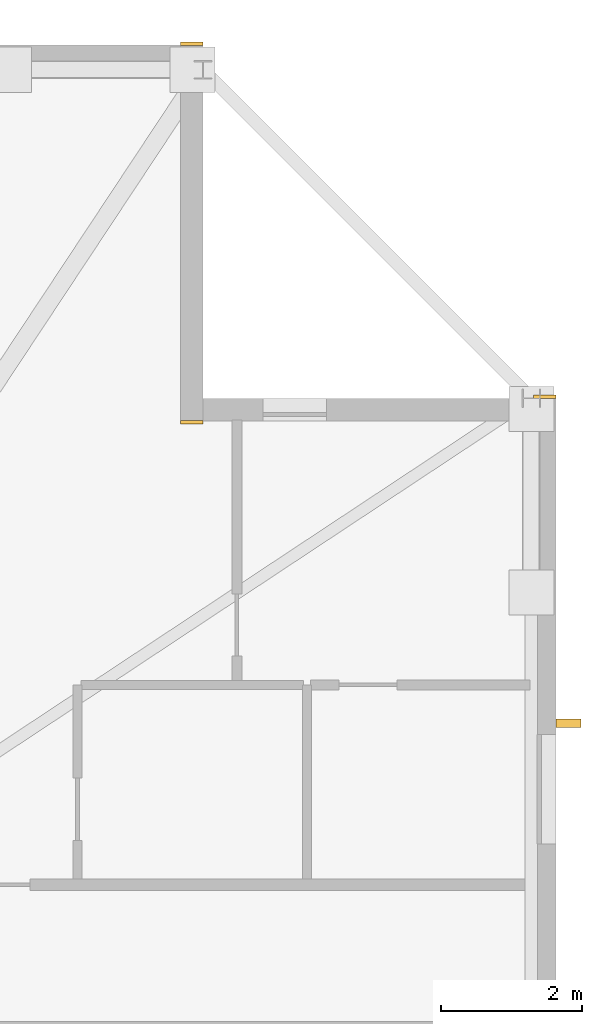
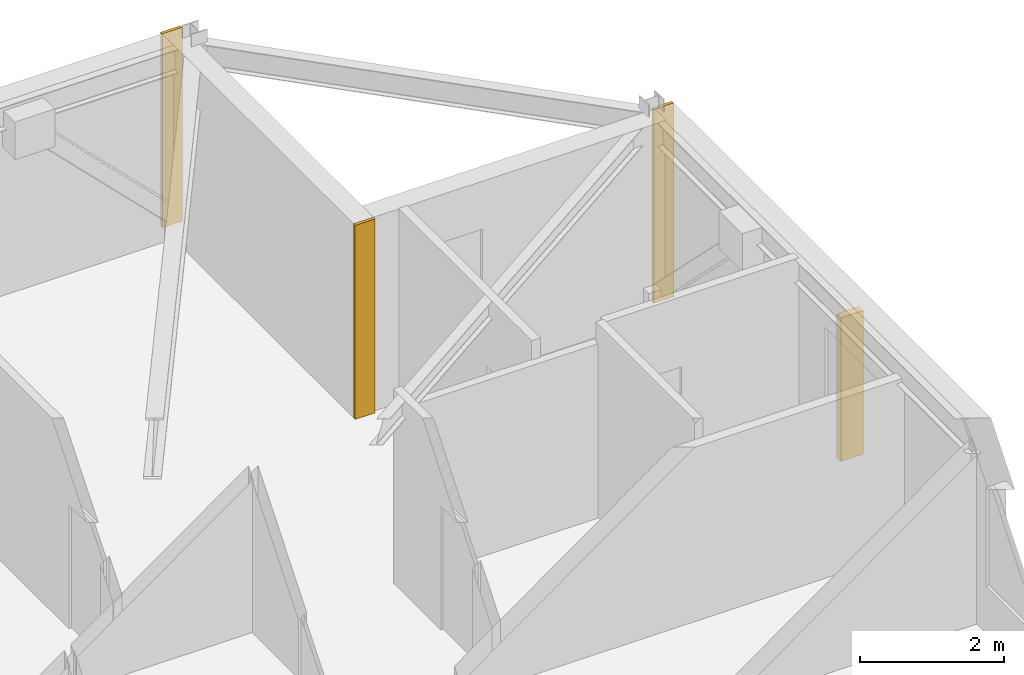
# One storey, part 17 of 17: 3 coverings, 1 shading device.
"""IFC4 building model written with IfcOpenShell, lengths in metres."""

import ifcopenshell
import ifcopenshell.guid

model = None  # the IFC model being written
_history = None  # IfcOwnerHistory: only IFC2X3 demands one
_inside = {}  # id of a spatial element -> (the spatial element, [elements in it])
_under = {}  # id of a project, library or spatial element -> (it, [spatial elements below it])
_declared = {}  # id of a project -> (the project, [libraries it declares])
_typed = {}  # id of a type object -> (the type object, [elements of that type])
_made_of = {}  # id of a material, layer set ... -> (it, [elements and type objects made of it])


def new_model(schema):
    """Start an empty IFC model of exactly this schema.

    Asked for "IFC4X3", IfcOpenShell would pick the latest addendum, in which some entities
    have other attributes; the version numbers below select the first issue.
    IFC2X3 requires an IfcOwnerHistory on every rooted entity: one is made here for all.
    """
    global model, _history
    if schema == "IFC4X3":
        model = ifcopenshell.file(schema_version=(4, 3, 0, 0))
    else:
        model = ifcopenshell.file(schema=schema)
    _inside.clear()
    _under.clear()
    _declared.clear()
    _typed.clear()
    _made_of.clear()
    _history = None
    if model.schema == "IFC2X3":
        org = make("IfcOrganization", Name="unknown")
        user = make(
            "IfcPersonAndOrganization",
            ThePerson=make("IfcPerson", FamilyName="unknown"),
            TheOrganization=org,
        )
        app = make(
            "IfcApplication",
            ApplicationDeveloper=org,
            Version="unknown",
            ApplicationFullName="unknown",
            ApplicationIdentifier="unknown",
        )
        _history = make(
            "IfcOwnerHistory",
            OwningUser=user,
            OwningApplication=app,
            ChangeAction="ADDED",
            CreationDate=0,
        )
    return model


def make(cls, **values):
    """One entity of the class cls with the attributes given. An attribute that is None is left unset."""
    return model.create_entity(
        cls, **{name: value for name, value in values.items() if value is not None}
    )


def rooted(cls, **values):
    """An entity with a GlobalId (a new one), such as an element, a storey or a relation."""
    return make(cls, GlobalId=ifcopenshell.guid.new(), OwnerHistory=_history, **values)


def si_unit(unit_type, name, prefix=None):
    """IfcSIUnit, for example si_unit("LENGTHUNIT", "METRE", prefix="MILLI")."""
    return make("IfcSIUnit", UnitType=unit_type, Prefix=prefix, Name=name)


def assignment(units):
    """IfcUnitAssignment: the units of a project."""
    return None if units is None else make("IfcUnitAssignment", Units=units)


def point(xyz):
    """IfcCartesianPoint."""
    return None if xyz is None else make("IfcCartesianPoint", Coordinates=xyz)


def direction(xyz):
    """IfcDirection."""
    return None if xyz is None else make("IfcDirection", DirectionRatios=xyz)


def frame(location, z_axis=None, x_axis=None):
    """IfcAxis2Placement3D, a coordinate frame: its origin and axes. An axis left out is left unset."""
    return make(
        "IfcAxis2Placement3D",
        Location=point(location),
        Axis=direction(z_axis),
        RefDirection=direction(x_axis),
    )


def frame_2d(location, x_axis=None):
    """IfcAxis2Placement2D, a coordinate frame in the plane: its origin and x axis."""
    return make(
        "IfcAxis2Placement2D", Location=point(location), RefDirection=direction(x_axis)
    )


def origin():
    """The frame at (0, 0, 0) with its axes left unset."""
    return frame((0.0, 0.0, 0.0))


def origin_2d():
    """The frame at (0, 0) in the plane with its x axis left unset."""
    return frame_2d((0.0, 0.0))


def place(relative_to, where):
    """IfcLocalPlacement: puts the frame where relative to a parent placement (None: the world)."""
    return make(
        "IfcLocalPlacement", PlacementRelTo=relative_to, RelativePlacement=where
    )


def context(
    kind, dimensions, precision=None, world=None, true_north=None, identifier=None
):
    """IfcGeometricRepresentationContext, for example the 3D "Model" context."""
    return make(
        "IfcGeometricRepresentationContext",
        ContextIdentifier=identifier,
        ContextType=kind,
        CoordinateSpaceDimension=dimensions,
        Precision=precision,
        WorldCoordinateSystem=world,
        TrueNorth=true_north,
    )


def subcontext(parent, identifier, kind, view, scale=None):
    """IfcGeometricRepresentationSubContext, for example "Body" below "Model"."""
    return make(
        "IfcGeometricRepresentationSubContext",
        ContextIdentifier=identifier,
        ContextType=kind,
        ParentContext=parent,
        TargetScale=scale,
        TargetView=view,
    )


def project(units=None, contexts=None):
    """IfcProject with its units and contexts."""
    return rooted(
        "IfcProject",
        Name="project",
        RepresentationContexts=contexts,
        UnitsInContext=assignment(units),
    )


def spatial(cls, under=None, at=None, **own):
    """A site, building, storey or space (cls), placed at a placement, below another one or the project."""
    s = rooted(cls, ObjectPlacement=at, **own)
    if under is not None:
        _under.setdefault(under.id(), (under, []))[1].append(s)
    return s


def profile(cls, at=None, kind="AREA", **sizes):
    """A parametric profile (cls). Its sizes go by their IFC names, for example OverallWidth=200.0."""
    return make(cls, ProfileType=kind, Position=at, **sizes)


def rectangle(**sizes):
    """IfcRectangleProfileDef."""
    return profile("IfcRectangleProfileDef", **sizes)


def extrude(swept, where, along, depth):
    """IfcExtrudedAreaSolid: the profile swept, set in the frame where, extruded along a direction by depth."""
    return make(
        "IfcExtrudedAreaSolid",
        SweptArea=swept,
        Position=where,
        ExtrudedDirection=direction(along),
        Depth=depth,
    )


def shape(context_of_items, identifier, shape_type, items):
    """IfcShapeRepresentation: the items that make up one representation, for example the "Body"."""
    return make(
        "IfcShapeRepresentation",
        ContextOfItems=context_of_items,
        RepresentationIdentifier=identifier,
        RepresentationType=shape_type,
        Items=items,
    )


def material(Name=None, Category=None):
    """IfcMaterial."""
    return make("IfcMaterial", Name=Name, Category=Category)


def layer(
    of_material, thickness, ventilated=None, Name=None, Category=None, Priority=None
):
    """IfcMaterialLayer: one layer of a wall or slab, of a material (None: an air gap)."""
    return make(
        "IfcMaterialLayer",
        Material=of_material,
        LayerThickness=thickness,
        IsVentilated=ventilated,
        Name=Name,
        Category=Category,
        Priority=Priority,
    )


def layer_set(layers, Name=None):
    """IfcMaterialLayerSet."""
    return make("IfcMaterialLayerSet", MaterialLayers=layers, LayerSetName=Name)


def made_of(thing, what):
    """Note that an element or type object is made of a material, layer set ...; save() writes the relation."""
    if what is not None:
        _made_of.setdefault(what.id(), (what, []))[1].append(thing)
    return thing


def type_object(cls, material=None, **own):
    """A type object (cls), such as IfcWallType, which elements share."""
    return made_of(rooted(cls, **own), material)


def element(
    cls,
    number,
    at=None,
    inside=None,
    cuts=None,
    type_object=None,
    material=None,
    context=None,
    identifier="Body",
    shape_type=None,
    held_by="IfcProductDefinitionShape",
    body=None,
    shapes=None,
    **own,
):
    """One element of the class cls, such as IfcWall. Its Tag is "e" and its number.

    at: its placement. inside: the storey or other place that contains it. cuts: it is an
    opening in that element (IfcRelVoidsElement). A single representation is given by context,
    identifier, shape_type and body (its items); several are given by shapes. held_by: the class
    of the entity that holds the representations. save() writes the other relations.
    """
    e = rooted(cls, Tag="e%d" % number, ObjectPlacement=at, **own)
    if body is not None:
        shapes = [shape(context, identifier, shape_type, body)]
    if shapes is not None:
        e.Representation = make(held_by, Representations=shapes)
    if inside is not None:
        _inside.setdefault(inside.id(), (inside, []))[1].append(e)
    if cuts is not None:
        rooted(
            "IfcRelVoidsElement", RelatingBuildingElement=cuts, RelatedOpeningElement=e
        )
    if type_object is not None:
        _typed.setdefault(type_object.id(), (type_object, []))[1].append(e)
    return made_of(e, material)


def aggregate(whole, parts):
    """IfcRelAggregates: a whole, such as a stair, and the parts it consists of."""
    return rooted("IfcRelAggregates", RelatingObject=whole, RelatedObjects=parts)


def save(model, path):
    """Write the relations noted so far, then the file.

    IfcRelAggregates (storeys below a building ...), IfcRelContainedInSpatialStructure (elements
    in a storey), IfcRelDefinesByType, IfcRelAssociatesMaterial and IfcRelDeclares: one each for
    every whole, place, type object, material and project.
    """
    for whole, parts in _under.values():
        aggregate(whole, parts)
    for where, things in _inside.values():
        rooted(
            "IfcRelContainedInSpatialStructure",
            RelatedElements=things,
            RelatingStructure=where,
        )
    for kind, things in _typed.values():
        rooted("IfcRelDefinesByType", RelatedObjects=things, RelatingType=kind)
    for what, things in _made_of.values():
        rooted("IfcRelAssociatesMaterial", RelatedObjects=things, RelatingMaterial=what)
    for by, libraries in _declared.values():
        rooted("IfcRelDeclares", RelatingContext=by, RelatedDefinitions=libraries)
    model.write(path)


model = new_model("IFC4")

# Units and contexts
model_context = context("Model", 3, precision=1e-05, world=origin(), true_north=direction((0.0, 1.0)))
body_context = subcontext(model_context, "Body", "Model", "MODEL_VIEW")
ifc_project = project(units=[si_unit("LENGTHUNIT", "METRE"), si_unit("AREAUNIT", "SQUARE_METRE"), si_unit("VOLUMEUNIT", "CUBIC_METRE"), si_unit("PLANEANGLEUNIT", "RADIAN"), si_unit("MASSUNIT", "GRAM", prefix="KILO")], contexts=[model_context])

# Site, building, storey
site_placement = place(None, origin())
site = spatial("IfcSite", under=ifc_project, at=site_placement, CompositionType="ELEMENT")
building_placement = place(site_placement, origin())
building = spatial("IfcBuilding", under=site, at=building_placement, Name="Cairnveth Concourse Tower", CompositionType="ELEMENT")
storey_placement = place(building_placement, frame((0.0, 0.0, 227.0)))
storey = spatial("IfcBuildingStorey", under=building, at=storey_placement, Name="L62", CompositionType="ELEMENT", Elevation=227.0)

# Coverings
ifc_material_1 = material(Name="Dressed Melbourne Bluestone Cladding", Category="masonry")
ifc_layer = layer(ifc_material_1, 0.050048828125)
ifc_layer_set = layer_set([ifc_layer], Name="Dressed Melbourne Bluestone Cladding")
covering_type = type_object("IfcCoveringType", Name="DRESSED BLUESTONE PLINTH CLADDING 50", PredefinedType="CLADDING", material=ifc_layer_set)
for number, where, z_axis, x_axis, name in (
    (1, (69.179931640625, 61.52001953125, 0.0), (0.0, 0.0, 1.0), (1.0, 0.0, 0.0), "Melbourne Bluestone Corner Quoin L62-931"),
    (2, (69.179931640625, 56.159912109375, 0.0), (0.0, 0.0, 1.0), (1.0, 0.0, 0.0), "Melbourne Bluestone Corner Quoin L62-932"),
    (3, (74.179931640625, 56.52001953125, 0.0), (0.0, 0.0, 1.0), (1.0, 0.0, 0.0), "Melbourne Bluestone Corner Quoin L62-933"),
):
    element("IfcCovering", number, at=place(storey_placement, frame(where, z_axis=z_axis, x_axis=x_axis)), inside=storey, type_object=covering_type, Name=name, PredefinedType="CLADDING", context=body_context, shape_type="SweptSolid", body=[
        extrude(rectangle(XDim=0.320068359375, YDim=0.050048828125, at=frame_2d((0.16015625, 0.0))), origin(), (0.0, 0.0, 1.0), 3.2900390625),
    ])

# Shading device
ifc_material_2 = material(Name="Architectural Bronze Anodised Aluminium 6063-T6", Category="aluminium")
shading_device_type = type_object("IfcShadingDeviceType", Name="GOTHIC BRONZE VERTICAL LANCET FIN", PredefinedType="USERDEFINED", material=ifc_material_2)
shading_device_placement = place(storey_placement, frame((74.675048828125, 51.8974609375, 0.030029296875), z_axis=(0.0, 0.0, 1.0), x_axis=(0.0, 1.0, 0.0)))
element("IfcShadingDevice", 4, at=shading_device_placement, inside=storey, type_object=shading_device_type, Name="Gothic Bronze Vertical Fin L62-6-1", ObjectType="VERTICAL FIN", PredefinedType="USERDEFINED", context=body_context, shape_type="SweptSolid", body=[
    extrude(rectangle(XDim=0.1201171875, YDim=0.360107421875, at=origin_2d()), origin(), (0.0, 0.0, 1.0), 2.43798828125),
])

save(model, "model.ifc")
